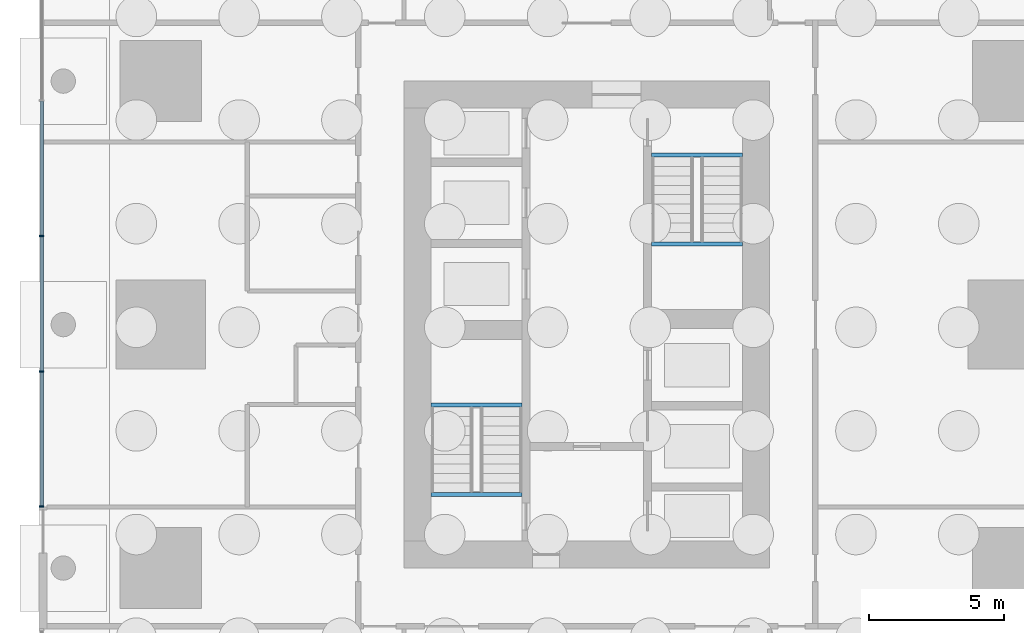
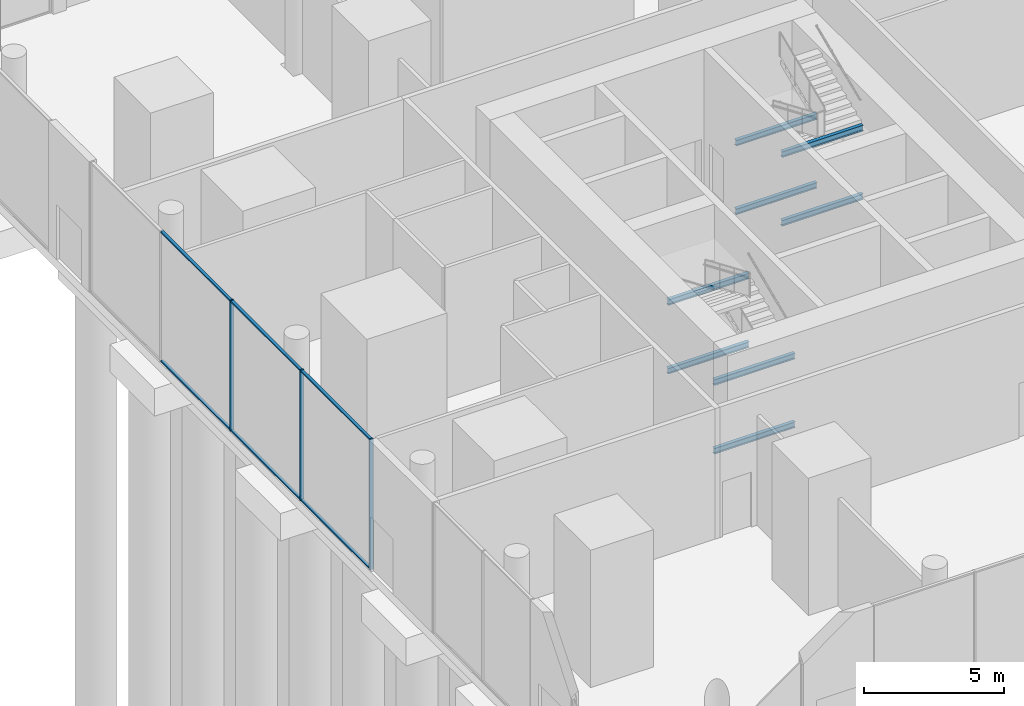
# One storey, part 5 of 31: 9 members, 8 beams, 1 element without a shape of its own.
"""IFC4 building model written with IfcOpenShell, lengths in metres."""

from ifc_helpers import new_model, si_unit, direction, frame, origin, origin_2d, place, context, subcontext, project, spatial, rectangle, i_section, extrude, material, layer, layer_set, material_profile, profile_set, type_object, element, aggregate, save


model = new_model("IFC4")

# Units and contexts
model_context = context("Model", 3, precision=1e-05, world=origin(), true_north=direction((0.0, 1.0)))
body_context = subcontext(model_context, "Body", "Model", "MODEL_VIEW")
ifc_project = project(units=[si_unit("LENGTHUNIT", "METRE"), si_unit("AREAUNIT", "SQUARE_METRE"), si_unit("VOLUMEUNIT", "CUBIC_METRE"), si_unit("PLANEANGLEUNIT", "RADIAN"), si_unit("MASSUNIT", "GRAM", prefix="KILO")], contexts=[model_context])

# Site, building, storey
site_placement = place(None, origin())
site = spatial("IfcSite", under=ifc_project, at=site_placement, CompositionType="ELEMENT")
building_placement = place(site_placement, origin())
building = spatial("IfcBuilding", under=site, at=building_placement, Name="Namib Vertical Campus", CompositionType="ELEMENT")
storey_placement = place(building_placement, origin())
storey = spatial("IfcBuildingStorey", under=building, at=storey_placement, Name="L00", CompositionType="ELEMENT", Elevation=0.0)

# Curtain wall, members
ifc_material_1 = material(Name="Black aluminium curtain wall", Category="aluminium")
ifc_layer = layer(ifc_material_1, 0.199951171875)
ifc_layer_set = layer_set([ifc_layer], Name="Entrance curtain wall CW-EN")
curtain_wall_type = type_object("IfcCurtainWallType", Name="Entrance curtain wall CW-EN", PredefinedType="USERDEFINED", material=ifc_layer_set)
curtain_wall_placement = place(storey_placement, origin())
curtain_wall = element("IfcCurtainWall", 1, at=curtain_wall_placement, inside=storey, type_object=curtain_wall_type, Name="Curtain wall CW-EN L00 5-1", ObjectType="CURTAIN WALL", PredefinedType="USERDEFINED")
ifc_material_2 = material(Name="Black anodised aluminium", Category="aluminium")
ifc_material_profile_1 = material_profile(ifc_material_2, rectangle(XDim=0.06005859375, YDim=0.159912109375, at=origin_2d()))
ifc_profile_set_1 = profile_set([ifc_material_profile_1], Name="Black anodised aluminium")
member_type_1 = type_object("IfcMemberType", Name="Curtain wall mullion 60x160", PredefinedType="MULLION", material=ifc_profile_set_1)
member_1_placement = place(storey_placement, frame((0.10009765625, 23.52490234375, 0.0), z_axis=(0.0, 0.0, 1.0), x_axis=(0.0, -1.0, 0.0)))
member_1 = element("IfcMember", 2, at=member_1_placement, type_object=member_type_1, Name="CW-EN mullion 3", PredefinedType="MULLION", context=body_context, shape_type="SweptSolid", body=[
    extrude(rectangle(XDim=0.06005859375, YDim=0.159912109375, at=origin_2d()), origin(), (0.0, 0.0, 1.0), 5.699951171875),
])
member_2_placement = place(storey_placement, frame((0.10009765625, 18.512451171875, 0.0), z_axis=(0.0, 0.0, 1.0), x_axis=(0.0, -1.0, 0.0)))
member_2 = element("IfcMember", 3, at=member_2_placement, type_object=member_type_1, Name="CW-EN mullion 4", PredefinedType="MULLION", context=body_context, shape_type="SweptSolid", body=[
    extrude(rectangle(XDim=0.06005859375, YDim=0.159912109375, at=origin_2d()), origin(), (0.0, 0.0, 1.0), 5.699951171875),
])
member_3_placement = place(storey_placement, frame((0.10009765625, 13.530029296875, 0.0), z_axis=(0.0, 0.0, 1.0), x_axis=(0.0, -1.0, 0.0)))
member_3 = element("IfcMember", 4, at=member_3_placement, type_object=member_type_1, Name="CW-EN mullion 5", PredefinedType="MULLION", context=body_context, shape_type="SweptSolid", body=[
    extrude(rectangle(XDim=0.06005859375, YDim=0.159912109375, at=origin_2d()), origin(), (0.0, 0.0, 1.0), 5.699951171875),
])
ifc_material_3 = material(Name="Black anodised aluminium", Category="aluminium")
ifc_material_profile_2 = material_profile(ifc_material_3, rectangle(XDim=0.06005859375, YDim=0.1201171875, at=origin_2d()))
ifc_profile_set_2 = profile_set([ifc_material_profile_2], Name="Black anodised aluminium")
member_type_2 = type_object("IfcMemberType", Name="Curtain wall transom 60x120", PredefinedType="USERDEFINED", material=ifc_profile_set_2)
member_4_placement = place(storey_placement, frame((0.10009765625, 28.507568359375, 0.030029296875), z_axis=(0.0, -1.0, 0.0), x_axis=(0.0, 0.0, 1.0)))
member_4 = element("IfcMember", 5, at=member_4_placement, type_object=member_type_2, Name="CW-EN transom 2.1", ObjectType="TRANSOM", PredefinedType="USERDEFINED", context=body_context, shape_type="SweptSolid", body=[
    extrude(rectangle(XDim=0.06005859375, YDim=0.1201171875, at=origin_2d()), origin(), (0.0, 0.0, 1.0), 4.95263671875),
])
member_5_placement = place(storey_placement, frame((0.10009765625, 28.507568359375, 5.669921875), z_axis=(0.0, -1.0, 0.0), x_axis=(0.0, 0.0, 1.0)))
member_5 = element("IfcMember", 6, at=member_5_placement, type_object=member_type_2, Name="CW-EN transom 2.2", ObjectType="TRANSOM", PredefinedType="USERDEFINED", context=body_context, shape_type="SweptSolid", body=[
    extrude(rectangle(XDim=0.06005859375, YDim=0.1201171875, at=origin_2d()), origin(), (0.0, 0.0, 1.0), 4.95263671875),
])
member_6_placement = place(storey_placement, frame((0.10009765625, 23.4951171875, 0.030029296875), z_axis=(0.0, -1.0, 0.0), x_axis=(0.0, 0.0, 1.0)))
member_6 = element("IfcMember", 7, at=member_6_placement, type_object=member_type_2, Name="CW-EN transom 3.1", ObjectType="TRANSOM", PredefinedType="USERDEFINED", context=body_context, shape_type="SweptSolid", body=[
    extrude(rectangle(XDim=0.06005859375, YDim=0.1201171875, at=origin_2d()), origin(), (0.0, 0.0, 1.0), 4.95263671875),
])
member_7_placement = place(storey_placement, frame((0.10009765625, 23.4951171875, 5.669921875), z_axis=(0.0, -1.0, 0.0), x_axis=(0.0, 0.0, 1.0)))
member_7 = element("IfcMember", 8, at=member_7_placement, type_object=member_type_2, Name="CW-EN transom 3.2", ObjectType="TRANSOM", PredefinedType="USERDEFINED", context=body_context, shape_type="SweptSolid", body=[
    extrude(rectangle(XDim=0.06005859375, YDim=0.1201171875, at=origin_2d()), origin(), (0.0, 0.0, 1.0), 4.95263671875),
])
member_8_placement = place(storey_placement, frame((0.10009765625, 18.482421875, 0.030029296875), z_axis=(0.0, -1.0, 0.0), x_axis=(0.0, 0.0, 1.0)))
member_8 = element("IfcMember", 9, at=member_8_placement, type_object=member_type_2, Name="CW-EN transom 4.1", ObjectType="TRANSOM", PredefinedType="USERDEFINED", context=body_context, shape_type="SweptSolid", body=[
    extrude(rectangle(XDim=0.06005859375, YDim=0.1201171875, at=origin_2d()), origin(), (0.0, 0.0, 1.0), 4.92236328125),
])
member_9_placement = place(storey_placement, frame((0.10009765625, 18.482421875, 5.669921875), z_axis=(0.0, -1.0, 0.0), x_axis=(0.0, 0.0, 1.0)))
member_9 = element("IfcMember", 10, at=member_9_placement, type_object=member_type_2, Name="CW-EN transom 4.2", ObjectType="TRANSOM", PredefinedType="USERDEFINED", context=body_context, shape_type="SweptSolid", body=[
    extrude(rectangle(XDim=0.06005859375, YDim=0.1201171875, at=origin_2d()), origin(), (0.0, 0.0, 1.0), 4.92236328125),
])
aggregate(curtain_wall, [member_1, member_2, member_3, member_4, member_5, member_6, member_7, member_8, member_9])

# Beams
ifc_material_4 = material(Name="Steel S355JR", Category="steel")
ifc_material_profile_3 = material_profile(ifc_material_4, i_section(OverallWidth=0.14599609375, OverallDepth=0.25146484375, WebThickness=0.006103515625, FlangeThickness=0.008544921875, FilletRadius=0.007568359375, at=origin_2d()))
ifc_profile_set_3 = profile_set([ifc_material_profile_3], Name="Steel S355JR")
beam_type = type_object("IfcBeamType", Name="Landing trimmer UB 254x146x31", PredefinedType="BEAM", material=ifc_profile_set_3)
for number, where, z_axis, x_axis, name in (
    (11, (14.5, 13.97705078125, -0.125732421875), (1.0, 0.0, 0.0), (0.0, 1.0, 0.0), "Landing trimmer LT1 A-S1 L00 1"),
    (12, (14.5, 17.27294921875, 1.374267578125), (1.0, 0.0, 0.0), (0.0, 1.0, 0.0), "Landing trimmer LT1 A-S1 L00 2"),
    (13, (14.5, 13.97705078125, 2.874267578125), (1.0, 0.0, 0.0), (0.0, 1.0, 0.0), "Landing trimmer LT1 A-S1 L00 3"),
    (14, (14.5, 17.27294921875, 4.374267578125), (1.0, 0.0, 0.0), (0.0, 1.0, 0.0), "Landing trimmer LT1 A-S1 L00 4"),
    (15, (22.64990234375, 26.52294921875, -0.125732421875), (1.0, 0.0, 0.0), (0.0, 1.0, 0.0), "Landing trimmer LT1 A-S2 L00 1"),
    (16, (22.64990234375, 23.22705078125, 1.374267578125), (1.0, 0.0, 0.0), (0.0, 1.0, 0.0), "Landing trimmer LT1 A-S2 L00 2"),
    (17, (22.64990234375, 26.52294921875, 2.874267578125), (1.0, 0.0, 0.0), (0.0, 1.0, 0.0), "Landing trimmer LT1 A-S2 L00 3"),
    (18, (22.64990234375, 23.22705078125, 4.374267578125), (1.0, 0.0, 0.0), (0.0, 1.0, 0.0), "Landing trimmer LT1 A-S2 L00 4"),
):
    element("IfcBeam", number, at=place(storey_placement, frame(where, z_axis=z_axis, x_axis=x_axis)), inside=storey, type_object=beam_type, Name=name, PredefinedType="BEAM", context=body_context, shape_type="SweptSolid", body=[
        extrude(i_section(OverallWidth=0.14599609375, OverallDepth=0.25146484375, WebThickness=0.006103515625, FlangeThickness=0.008544921875, FilletRadius=0.007568359375, at=origin_2d()), origin(), (0.0, 0.0, 1.0), 3.35009765625),
    ])

save(model, "model.ifc")
